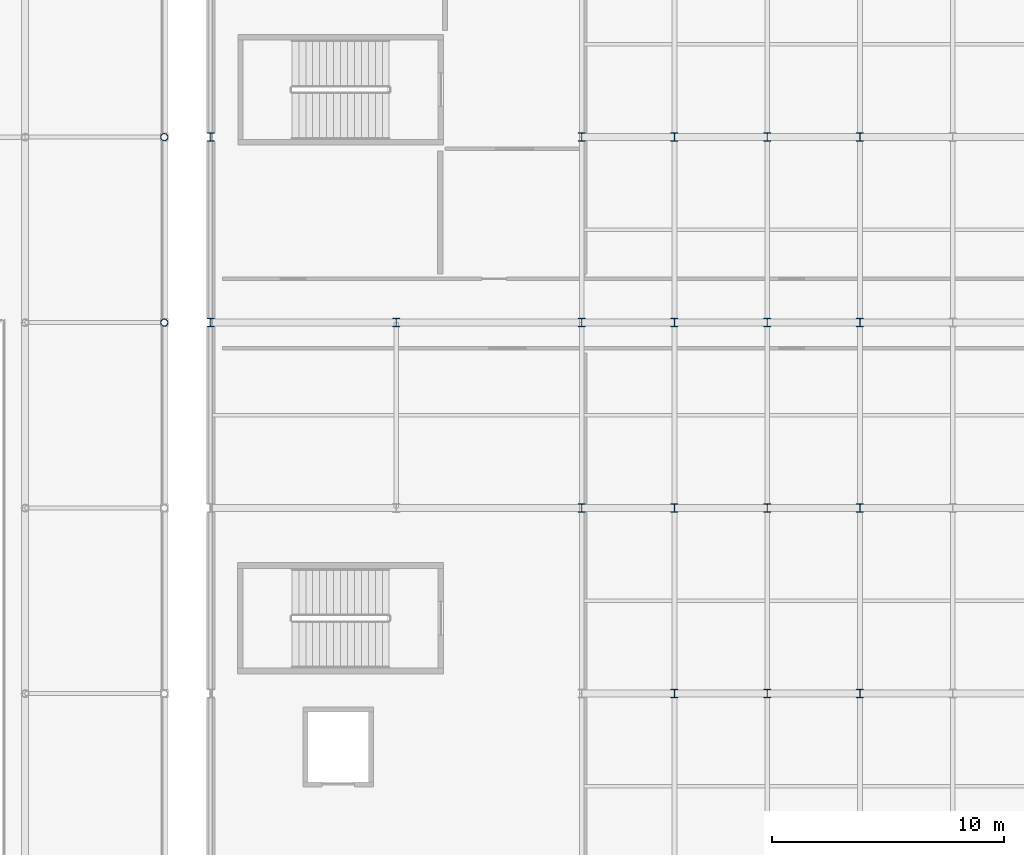
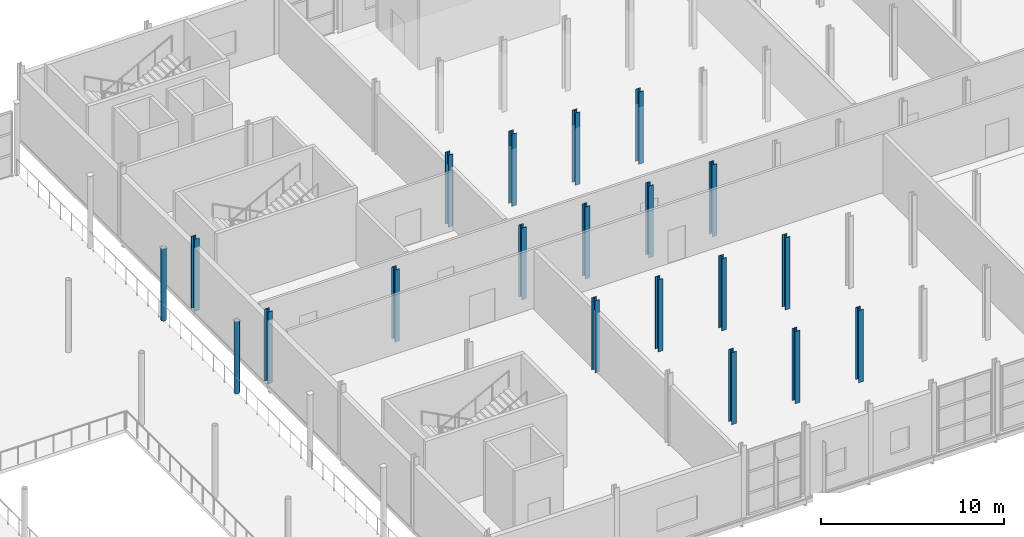
# One storey, part 12 of 143: 20 columns.
"""IFC4 building model written with IfcOpenShell, lengths in metres."""

from ifc_helpers import new_model, si_unit, derived_unit, direction, frame, origin, origin_2d, place, context, subcontext, project, spatial, hollow_circle, i_section, extrude, material, material_profile, profile_set, type_object, element, save


model = new_model("IFC4")

# Units and contexts
model_context = context("Model", 3, precision=1e-05, world=origin(), true_north=direction((0.0, 1.0)))
body_context = subcontext(model_context, "Body", "Model", "MODEL_VIEW")
ifc_project = project(units=[si_unit("LENGTHUNIT", "METRE"), si_unit("AREAUNIT", "SQUARE_METRE"), si_unit("VOLUMEUNIT", "CUBIC_METRE"), si_unit("PLANEANGLEUNIT", "RADIAN"), si_unit("MASSUNIT", "GRAM", prefix="KILO"), derived_unit("THERMALTRANSMITTANCEUNIT", [(si_unit("POWERUNIT", "WATT"), 1), (si_unit("LENGTHUNIT", "METRE"), -2), (si_unit("THERMODYNAMICTEMPERATUREUNIT", "KELVIN"), -1)])], contexts=[model_context])

# Site, building, storey
site_placement = place(None, origin())
site = spatial("IfcSite", under=ifc_project, at=site_placement, CompositionType="ELEMENT")
building_placement = place(site_placement, origin())
building = spatial("IfcBuilding", under=site, at=building_placement, Name="Keldorne Ridge Multi-Sports Centre", CompositionType="ELEMENT")
storey_placement = place(building_placement, frame((0.0, 0.0, 4.800048828125)))
storey = spatial("IfcBuildingStorey", under=building, at=storey_placement, Name="L01", CompositionType="ELEMENT", Elevation=4.800048828125)

# Columns
ifc_material = material(Name="Steel S355", Category="steel")
ifc_material_profile_1 = material_profile(ifc_material, hollow_circle(Radius=0.161865234375, WallThickness=0.01611328125, at=origin_2d()), Name="CHS 323.9x16")
ifc_profile_set_1 = profile_set([ifc_material_profile_1], Name="Steel S355")
column_type_1 = type_object("IfcColumnType", Name="COL-C-08", PredefinedType="COLUMN", material=ifc_profile_set_1)
for number, where, z_axis, x_axis, name in (
    (1, (102.0, 90.0, 0.0), (0.0, 0.0, 1.0), (1.0, 0.0, 0.0), "Structural column V4-G15-11 on L01"),
    (2, (102.0, 98.0, 0.0), (0.0, 0.0, 1.0), (1.0, 0.0, 0.0), "Structural column V4-G15-12 on L01"),
):
    element("IfcColumn", number, at=place(storey_placement, frame(where, z_axis=z_axis, x_axis=x_axis)), inside=storey, type_object=column_type_1, Name=name, PredefinedType="COLUMN", context=body_context, shape_type="SweptSolid", body=[
        extrude(hollow_circle(Radius=0.161865234375, WallThickness=0.01611328125, at=origin_2d()), origin(), (0.0, 0.0, 1.0), 4.800048828125),
    ])
ifc_material_profile_2 = material_profile(ifc_material, i_section(OverallWidth=0.300048828125, OverallDepth=0.360107421875, WebThickness=0.012451171875, FlangeThickness=0.0224609375, FilletRadius=0.027099609375, at=origin_2d()), Name="HEB 360")
ifc_profile_set_2 = profile_set([ifc_material_profile_2], Name="Steel S355")
column_type_2 = type_object("IfcColumnType", Name="COL-C-10", PredefinedType="COLUMN", material=ifc_profile_set_2)
for number, where, z_axis, x_axis, name in (
    (3, (104.0, 90.0, 0.0), (0.0, 0.0, 1.0), (1.0, 0.0, 0.0), "Structural column V5-C-01-04 on L01"),
    (4, (104.0, 98.0, 0.0), (0.0, 0.0, 1.0), (1.0, 0.0, 0.0), "Structural column V5-C-01-05 on L01"),
    (5, (112.0, 90.0, 0.0), (0.0, 0.0, 1.0), (1.0, 0.0, 0.0), "Structural column V5-C-02-04 on L01"),
    (6, (120.0, 82.0, 0.0), (0.0, 0.0, 1.0), (1.0, 0.0, 0.0), "Structural column V5-C-03-03 on L01"),
    (7, (120.0, 90.0, 0.0), (0.0, 0.0, 1.0), (1.0, 0.0, 0.0), "Structural column V5-C-03-04 on L01"),
    (8, (120.0, 98.0, 0.0), (0.0, 0.0, 1.0), (1.0, 0.0, 0.0), "Structural column V5-C-03-05 on L01"),
    (9, (124.0, 74.0, 0.0), (0.0, 0.0, 1.0), (1.0, 0.0, 0.0), "Structural column V5-C-04-02 on L01"),
    (10, (124.0, 82.0, 0.0), (0.0, 0.0, 1.0), (1.0, 0.0, 0.0), "Structural column V5-C-04-03 on L01"),
    (11, (124.0, 90.0, 0.0), (0.0, 0.0, 1.0), (1.0, 0.0, 0.0), "Structural column V5-C-04-04 on L01"),
    (12, (124.0, 98.0, 0.0), (0.0, 0.0, 1.0), (1.0, 0.0, 0.0), "Structural column V5-C-04-05 on L01"),
    (13, (128.0, 74.0, 0.0), (0.0, 0.0, 1.0), (1.0, 0.0, 0.0), "Structural column V5-C-05-02 on L01"),
    (14, (128.0, 82.0, 0.0), (0.0, 0.0, 1.0), (1.0, 0.0, 0.0), "Structural column V5-C-05-03 on L01"),
    (15, (128.0, 90.0, 0.0), (0.0, 0.0, 1.0), (1.0, 0.0, 0.0), "Structural column V5-C-05-04 on L01"),
    (16, (128.0, 98.0, 0.0), (0.0, 0.0, 1.0), (1.0, 0.0, 0.0), "Structural column V5-C-05-05 on L01"),
    (17, (132.0, 74.0, 0.0), (0.0, 0.0, 1.0), (1.0, 0.0, 0.0), "Structural column V5-C-06-02 on L01"),
    (18, (132.0, 82.0, 0.0), (0.0, 0.0, 1.0), (1.0, 0.0, 0.0), "Structural column V5-C-06-03 on L01"),
    (19, (132.0, 90.0, 0.0), (0.0, 0.0, 1.0), (1.0, 0.0, 0.0), "Structural column V5-C-06-04 on L01"),
    (20, (132.0, 98.0, 0.0), (0.0, 0.0, 1.0), (1.0, 0.0, 0.0), "Structural column V5-C-06-05 on L01"),
):
    element("IfcColumn", number, at=place(storey_placement, frame(where, z_axis=z_axis, x_axis=x_axis)), inside=storey, type_object=column_type_2, Name=name, PredefinedType="COLUMN", context=body_context, shape_type="SweptSolid", body=[
        extrude(i_section(OverallWidth=0.300048828125, OverallDepth=0.360107421875, WebThickness=0.012451171875, FlangeThickness=0.0224609375, FilletRadius=0.027099609375, at=origin_2d()), origin(), (0.0, 0.0, 1.0), 4.800048828125),
    ])

save(model, "model.ifc")
